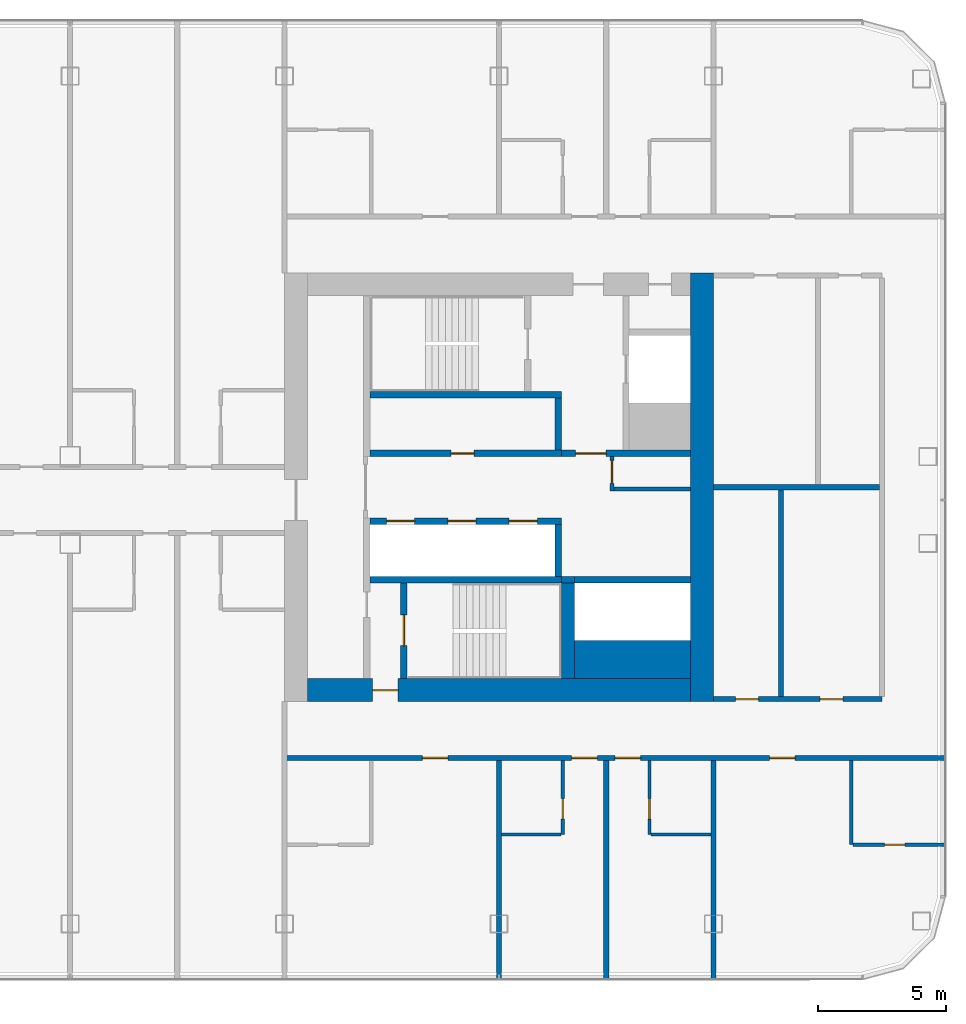
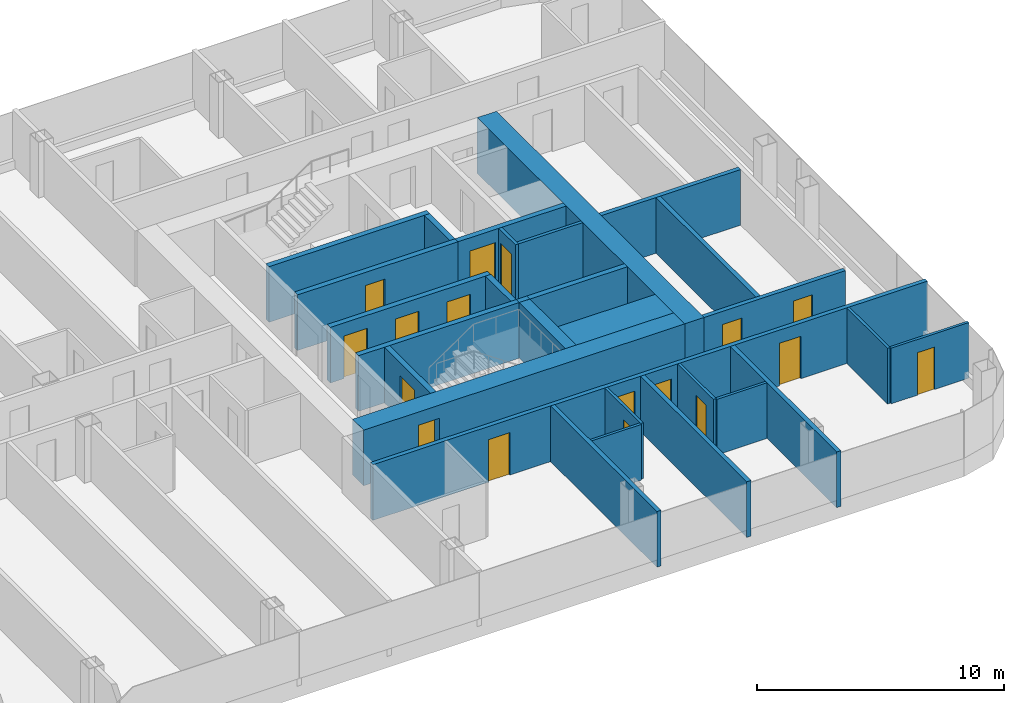
# One storey, part 16 of 26: 29 walls, 17 doors, 17 openings.
"""IFC4 building model written with IfcOpenShell, lengths in metres."""

from ifc_helpers import new_model, si_unit, direction, frame, frame_2d, origin, place, context, subcontext, project, spatial, rectangle, extrude, material, layer, layer_set, type_object, element, fill, save


model = new_model("IFC4")

# Units and contexts
model_context = context("Model", 3, precision=1e-05, world=origin(), true_north=direction((0.0, 1.0)))
body_context = subcontext(model_context, "Body", "Model", "MODEL_VIEW")
ifc_project = project(units=[si_unit("LENGTHUNIT", "METRE"), si_unit("AREAUNIT", "SQUARE_METRE"), si_unit("VOLUMEUNIT", "CUBIC_METRE"), si_unit("PLANEANGLEUNIT", "RADIAN"), si_unit("MASSUNIT", "GRAM", prefix="KILO")], contexts=[model_context])

# Site, building, storey
site_placement = place(None, origin())
site = spatial("IfcSite", under=ifc_project, at=site_placement, CompositionType="ELEMENT")
building_placement = place(site_placement, origin())
building = spatial("IfcBuilding", under=site, at=building_placement, Name="Hakoniwa Tower and Hamabe Station Hall", CompositionType="ELEMENT")
storey_placement = place(building_placement, frame((0.0, 0.0, 169.39990234375)))
storey = spatial("IfcBuildingStorey", under=building, at=storey_placement, Name="L48", CompositionType="ELEMENT", Elevation=169.39990234375)

# Wall, opening, door
ifc_material_1 = material(Name="Gypsum board partition", Category="gypsum")
ifc_layer_1 = layer(ifc_material_1, 0.125)
ifc_layer_set_1 = layer_set([ifc_layer_1], Name="Bathroom Partition 125")
wall_type_1 = type_object("IfcWallType", Name="Bathroom Partition 125", PredefinedType="PARTITIONING", material=ifc_layer_set_1)
wall_1_placement = place(storey_placement, frame((39.0625, -14.0, 0.0), z_axis=(0.0, 0.0, 1.0), x_axis=(1.0, 0.0, 0.0)))
wall_1 = element("IfcWall", 1, at=wall_1_placement, inside=storey, type_object=wall_type_1, Name="GW-L48-002", PredefinedType="PARTITIONING", context=body_context, shape_type="SweptSolid", body=[
    extrude(rectangle(XDim=3.637451171875, YDim=0.125, at=frame_2d((1.81884765625, 0.0))), origin(), (0.0, 0.0, 1.0), 2.75),
])
opening_1_placement = place(wall_1_placement, frame((1.237548828125, 0.0, 0.0)))
opening_1 = element("IfcOpeningElement", 2, at=opening_1_placement, cuts=wall_1, Name="Opening GD-G3C2-02", PredefinedType="OPENING", context=body_context, shape_type="SweptSolid", body=[
    extrude(rectangle(XDim=0.800048828125, YDim=2.10009765625, at=frame_2d((0.39990234375, 1.050048828125))), frame((0.0, 0.072509765625, 0.0), z_axis=(0.0, -1.0, 0.0), x_axis=(1.0, 0.0, 0.0)), (0.0, 0.0, 1.0), 0.14501953125),
])
ifc_material_2 = material(Name="Timber door leaf", Category="wood")
door_type_1 = type_object("IfcDoorType", Name="Bathroom Door 800", OperationType="SINGLE_SWING_LEFT", PredefinedType="DOOR", material=ifc_material_2)
door_1_placement = place(opening_1_placement, origin())
door_1 = element("IfcDoor", 3, at=door_1_placement, inside=storey, type_object=door_type_1, Name="Door GD-G3C2-02", OperationType="SINGLE_SWING_RIGHT", OverallHeight=2.10009765625, OverallWidth=0.800048828125, PredefinedType="DOOR", context=body_context, shape_type="SweptSolid", body=[
    extrude(rectangle(XDim=0.800048828125, YDim=2.10009765625, at=frame_2d((0.39990234375, 1.050048828125))), frame((0.0, 0.02490234375, 0.0), z_axis=(0.0, -1.0, 0.0), x_axis=(1.0, 0.0, 0.0)), (0.0, 0.0, 1.0), 0.050048828125),
])
fill(opening_1, door_1)

# Walls
for number, where, z_axis, x_axis, name in (
    (4, (25.300048828125, -13.60009765625, 0.0), (0.0, 0.0, 1.0), (1.0, 0.0, 0.0), "GW-L48-003"),
    (5, (31.16259765625, -13.60009765625, 0.0), (0.0, 0.0, 1.0), (1.0, 0.0, 0.0), "GW-L48-004"),
):
    element("IfcWall", number, at=place(storey_placement, frame(where, z_axis=z_axis, x_axis=x_axis)), inside=storey, type_object=wall_type_1, Name=name, PredefinedType="PARTITIONING", context=body_context, shape_type="SweptSolid", body=[
        extrude(rectangle(XDim=2.33740234375, YDim=0.125, at=frame_2d((1.168701171875, 0.0))), origin(), (0.0, 0.0, 1.0), 2.75),
    ])

# Wall, opening, door
wall_2_placement = place(storey_placement, frame((27.699951171875, -13.60009765625, 0.0), z_axis=(0.0, 0.0, 1.0), x_axis=(0.0, 1.0, 0.0)))
wall_2 = element("IfcWall", 6, at=wall_2_placement, inside=storey, type_object=wall_type_1, Name="GW-L48-083", PredefinedType="PARTITIONING", context=body_context, shape_type="SweptSolid", body=[
    extrude(rectangle(XDim=2.900146484375, YDim=0.125, at=frame_2d((1.4501953125, 0.0))), origin(), (0.0, 0.0, 1.0), 2.75),
])
opening_2_placement = place(wall_2_placement, frame((0.60009765625, 0.0, 0.0)))
opening_2 = element("IfcOpeningElement", 7, at=opening_2_placement, cuts=wall_2, Name="Opening GD-G3C2-61", PredefinedType="OPENING", context=body_context, shape_type="SweptSolid", body=[
    extrude(rectangle(XDim=0.800048828125, YDim=2.10009765625, at=frame_2d((0.39990234375, 1.050048828125))), frame((0.0, 0.072509765625, 0.0), z_axis=(0.0, -1.0, 0.0), x_axis=(1.0, 0.0, 0.0)), (0.0, 0.0, 1.0), 0.14501953125),
])
door_2_placement = place(opening_2_placement, origin())
door_2 = element("IfcDoor", 8, at=door_2_placement, inside=storey, type_object=door_type_1, Name="Door GD-G3C2-61", OperationType="SINGLE_SWING_RIGHT", OverallHeight=2.10009765625, OverallWidth=0.800048828125, PredefinedType="DOOR", context=body_context, shape_type="SweptSolid", body=[
    extrude(rectangle(XDim=0.800048828125, YDim=2.10009765625, at=frame_2d((0.39990234375, 1.050048828125))), frame((0.0, 0.02490234375, 0.0), z_axis=(0.0, -1.0, 0.0), x_axis=(1.0, 0.0, 0.0)), (0.0, 0.0, 1.0), 0.050048828125),
])
fill(opening_2, door_2)

wall_3_placement = place(storey_placement, frame((31.10009765625, -13.60009765625, 0.0), z_axis=(0.0, 0.0, 1.0), x_axis=(0.0, 1.0, 0.0)))
wall_3 = element("IfcWall", 9, at=wall_3_placement, inside=storey, type_object=wall_type_1, Name="GW-L48-087", PredefinedType="PARTITIONING", context=body_context, shape_type="SweptSolid", body=[
    extrude(rectangle(XDim=2.900146484375, YDim=0.125, at=frame_2d((1.4501953125, 0.0))), origin(), (0.0, 0.0, 1.0), 2.75),
])
opening_3_placement = place(wall_3_placement, frame((0.60009765625, 0.0, 0.0)))
opening_3 = element("IfcOpeningElement", 10, at=opening_3_placement, cuts=wall_3, Name="Opening GD-G3C2-63", PredefinedType="OPENING", context=body_context, shape_type="SweptSolid", body=[
    extrude(rectangle(XDim=0.800048828125, YDim=2.10009765625, at=frame_2d((0.39990234375, 1.050048828125))), frame((0.0, 0.072509765625, 0.0), z_axis=(0.0, -1.0, 0.0), x_axis=(1.0, 0.0, 0.0)), (0.0, 0.0, 1.0), 0.14501953125),
])
door_3_placement = place(opening_3_placement, origin())
door_3 = element("IfcDoor", 11, at=door_3_placement, inside=storey, type_object=door_type_1, Name="Door GD-G3C2-63", OperationType="SINGLE_SWING_LEFT", OverallHeight=2.10009765625, OverallWidth=0.800048828125, PredefinedType="DOOR", context=body_context, shape_type="SweptSolid", body=[
    extrude(rectangle(XDim=0.800048828125, YDim=2.10009765625, at=frame_2d((0.39990234375, 1.050048828125))), frame((0.0, 0.02490234375, 0.0), z_axis=(0.0, -1.0, 0.0), x_axis=(1.0, 0.0, 0.0)), (0.0, 0.0, 1.0), 0.050048828125),
])
fill(opening_3, door_3)

# Wall
wall_4_placement = place(storey_placement, frame((39.0, -14.0, 0.0), z_axis=(0.0, 0.0, 1.0), x_axis=(0.0, 1.0, 0.0)))
element("IfcWall", 12, at=wall_4_placement, inside=storey, type_object=wall_type_1, Name="GW-L48-093", PredefinedType="PARTITIONING", context=body_context, shape_type="SweptSolid", body=[
    extrude(rectangle(XDim=3.300048828125, YDim=0.125, at=frame_2d((1.64990234375, 0.0))), origin(), (0.0, 0.0, 1.0), 2.75),
])

# Wall, opening, door
ifc_material_3 = material(Name="Gypsum board partition")
ifc_layer_2 = layer(ifc_material_3, 0.14990234375)
ifc_layer_set_2 = layer_set([ifc_layer_2], Name="CORE PARTITION 150 EI 60")
wall_type_2 = type_object("IfcWallType", Name="CORE PARTITION 150 EI 60", PredefinedType="PARTITIONING", material=ifc_layer_set_2)
wall_5_placement = place(storey_placement, frame((29.625, -0.14990234375, 0.0), z_axis=(0.0, 0.0, 1.0), x_axis=(0.0, 1.0, 0.0)))
wall_5 = element("IfcWall", 13, at=wall_5_placement, inside=storey, type_object=wall_type_2, Name="Core partition PW0 east", PredefinedType="PARTITIONING", context=body_context, shape_type="SweptSolid", body=[
    extrude(rectangle(XDim=1.349853515625, YDim=0.14990234375, at=frame_2d((0.6748046875, 0.0))), origin(), (0.0, 0.0, 1.0), 2.75),
])
opening_4_placement = place(wall_5_placement, frame((0.300048828125, 0.0, 0.0)))
opening_4 = element("IfcOpeningElement", 14, at=opening_4_placement, cuts=wall_5, Name="Opening CD-E-RM1-9", PredefinedType="OPENING", context=body_context, shape_type="SweptSolid", body=[
    extrude(rectangle(XDim=0.89990234375, YDim=2.10009765625, at=frame_2d((0.449951171875, 1.050048828125))), frame((0.0, 0.0849609375, 0.0), z_axis=(0.0, -1.0, 0.0), x_axis=(1.0, 0.0, 0.0)), (0.0, 0.0, 1.0), 0.169921875),
])
ifc_material_4 = material(Name="Steel fire door", Category="steel")
door_type_2 = type_object("IfcDoorType", Name="CORE DOOR 900 FD30", OperationType="NOTDEFINED", PredefinedType="DOOR", material=ifc_material_4)
door_4_placement = place(opening_4_placement, origin())
door_4 = element("IfcDoor", 15, at=door_4_placement, inside=storey, type_object=door_type_2, Name="Store room door", OperationType="SINGLE_SWING_LEFT", OverallHeight=2.10009765625, OverallWidth=0.89990234375, PredefinedType="DOOR", context=body_context, shape_type="SweptSolid", body=[
    extrude(rectangle(XDim=0.89990234375, YDim=2.10009765625, at=frame_2d((0.449951171875, 1.050048828125))), frame((0.0, 0.02490234375, 0.0), z_axis=(0.0, -1.0, 0.0), x_axis=(1.0, 0.0, 0.0)), (0.0, 0.0, 1.0), 0.050048828125),
])
fill(opening_4, door_4)

# Walls
wall_6_placement = place(storey_placement, frame((29.699951171875, -0.074951171875, 0.0), z_axis=(0.0, 0.0, 1.0), x_axis=(1.0, 0.0, 0.0)))
element("IfcWall", 16, at=wall_6_placement, inside=storey, type_object=wall_type_2, Name="Core partition PS east", PredefinedType="PARTITIONING", context=body_context, shape_type="SweptSolid", body=[
    extrude(rectangle(XDim=3.0, YDim=0.14990234375, at=frame_2d((1.5, 0.0))), origin(), (0.0, 0.0, 1.0), 2.75),
])
ifc_material_5 = material(Name="Concrete C66", Category="concrete")
ifc_layer_3 = layer(ifc_material_5, 0.89990234375)
ifc_layer_set_3 = layer_set([ifc_layer_3], Name="CORE WALL 900 C66")
wall_type_3 = type_object("IfcWallType", Name="CORE WALL 900 C66", PredefinedType="SHEAR", material=ifc_layer_set_3)
wall_7_placement = place(storey_placement, frame((33.14990234375, -8.39990234375, 0.0), z_axis=(0.0, 0.0, 1.0), x_axis=(0.0, 1.0, 0.0)))
element("IfcWall", 17, at=wall_7_placement, inside=storey, type_object=wall_type_3, Name="Core wall OUTER east", PredefinedType="SHEAR", context=body_context, shape_type="SweptSolid", body=[
    extrude(rectangle(XDim=16.7998046875, YDim=0.89990234375, at=frame_2d((8.39990234375, 0.0))), origin(), (0.0, 0.0, 1.0), 2.75),
])

# Wall, opening, door
wall_8_placement = place(storey_placement, frame((17.699951171875, -7.949951171875, 0.0), z_axis=(0.0, 0.0, 1.0), x_axis=(1.0, 0.0, 0.0)))
wall_8 = element("IfcWall", 18, at=wall_8_placement, inside=storey, type_object=wall_type_3, Name="Core wall SOUTH east", PredefinedType="SHEAR", context=body_context, shape_type="SweptSolid", body=[
    extrude(rectangle(XDim=15.0, YDim=0.89990234375, at=frame_2d((7.5, 0.0))), origin(), (0.0, 0.0, 1.0), 2.75),
])
opening_5_placement = place(wall_8_placement, frame((2.550048828125, 0.0, 0.0)))
opening_5 = element("IfcOpeningElement", 19, at=opening_5_placement, cuts=wall_8, Name="Opening CD-E-FS3-10", PredefinedType="OPENING", context=body_context, shape_type="SweptSolid", body=[
    extrude(rectangle(XDim=1.0, YDim=2.10009765625, at=frame_2d((0.5, 1.050048828125))), frame((0.0, 0.4599609375, 0.0), z_axis=(0.0, -1.0, 0.0), x_axis=(1.0, 0.0, 0.0)), (0.0, 0.0, 1.0), 0.919921875),
])
ifc_material_6 = material(Name="Steel fire door", Category="steel")
door_type_3 = type_object("IfcDoorType", Name="CORE DOOR 1000 FD60", OperationType="NOTDEFINED", PredefinedType="DOOR", material=ifc_material_6)
door_5_placement = place(opening_5_placement, origin())
door_5 = element("IfcDoor", 20, at=door_5_placement, inside=storey, type_object=door_type_3, Name="Stair vestibule door", OperationType="SINGLE_SWING_LEFT", OverallHeight=2.10009765625, OverallWidth=1.0, PredefinedType="DOOR", context=body_context, shape_type="SweptSolid", body=[
    extrude(rectangle(XDim=1.0, YDim=2.10009765625, at=frame_2d((0.5, 1.050048828125))), frame((0.0, 0.02490234375, 0.0), z_axis=(0.0, -1.0, 0.0), x_axis=(1.0, 0.0, 0.0)), (0.0, 0.0, 1.0), 0.050048828125),
])
fill(opening_5, door_5)

# Wall
ifc_material_7 = material(Name="Concrete C66", Category="concrete")
ifc_layer_4 = layer(ifc_material_7, 1.5)
ifc_layer_set_4 = layer_set([ifc_layer_4], Name="CORE WEB WALL 1500 C66")
wall_type_4 = type_object("IfcWallType", Name="CORE WEB WALL 1500 C66", PredefinedType="SHEAR", material=ifc_layer_set_4)
wall_9_placement = place(storey_placement, frame((28.14990234375, -6.75, 0.0), z_axis=(0.0, 0.0, 1.0), x_axis=(1.0, 0.0, 0.0)))
element("IfcWall", 21, at=wall_9_placement, inside=storey, type_object=wall_type_4, Name="Core wall SER east", PredefinedType="SHEAR", context=body_context, shape_type="SweptSolid", body=[
    extrude(rectangle(XDim=4.550048828125, YDim=1.5, at=frame_2d((2.27490234375, 0.0))), origin(), (0.0, 0.0, 1.0), 2.75),
])

# Wall, opening, door
ifc_material_8 = material(Name="Concrete C66", Category="concrete")
ifc_layer_5 = layer(ifc_material_8, 0.25)
ifc_layer_set_5 = layer_set([ifc_layer_5], Name="CORE WEB WALL 250 C66")
wall_type_5 = type_object("IfcWallType", Name="CORE WEB WALL 250 C66", PredefinedType="SHEAR", material=ifc_layer_set_5)
wall_10_placement = place(storey_placement, frame((20.14990234375, 1.324951171875, 0.0), z_axis=(0.0, 0.0, 1.0), x_axis=(1.0, 0.0, 0.0)))
wall_10 = element("IfcWall", 22, at=wall_10_placement, inside=storey, type_object=wall_type_5, Name="Core wall NF east", PredefinedType="SHEAR", context=body_context, shape_type="SweptSolid", body=[
    extrude(rectangle(XDim=7.5, YDim=0.25, at=frame_2d((3.75, 0.0))), origin(), (0.0, 0.0, 1.0), 2.75),
])
opening_6_placement = place(wall_10_placement, frame((3.175048828125, 0.0, 0.0)))
opening_6 = element("IfcOpeningElement", 23, at=opening_6_placement, cuts=wall_10, Name="Opening CD-E-FRLR0-9", PredefinedType="OPENING", context=body_context, shape_type="SweptSolid", body=[
    extrude(rectangle(XDim=0.89990234375, YDim=2.10009765625, at=frame_2d((0.449951171875, 1.050048828125))), frame((0.0, 0.135009765625, 0.0), z_axis=(0.0, -1.0, 0.0), x_axis=(1.0, 0.0, 0.0)), (0.0, 0.0, 1.0), 0.27001953125),
])
door_6_placement = place(opening_6_placement, origin())
door_6 = element("IfcDoor", 24, at=door_6_placement, inside=storey, type_object=door_type_2, Name="Store room door", OperationType="SINGLE_SWING_LEFT", OverallHeight=2.10009765625, OverallWidth=0.89990234375, PredefinedType="DOOR", context=body_context, shape_type="SweptSolid", body=[
    extrude(rectangle(XDim=0.89990234375, YDim=2.10009765625, at=frame_2d((0.449951171875, 1.050048828125))), frame((0.0, 0.02490234375, 0.0), z_axis=(0.0, -1.0, 0.0), x_axis=(1.0, 0.0, 0.0)), (0.0, 0.0, 1.0), 0.050048828125),
])
fill(opening_6, door_6)

# Walls
wall_11_placement = place(storey_placement, frame((27.52490234375, 1.449951171875, 0.0), z_axis=(0.0, 0.0, 1.0), x_axis=(0.0, 1.0, 0.0)))
element("IfcWall", 25, at=wall_11_placement, inside=storey, type_object=wall_type_5, Name="Core wall NE east", PredefinedType="SHEAR", context=body_context, shape_type="SweptSolid", body=[
    extrude(rectangle(XDim=2.050048828125, YDim=0.25, at=frame_2d((1.02490234375, 0.0))), origin(), (0.0, 0.0, 1.0), 2.75),
])
wall_12_placement = place(storey_placement, frame((20.14990234375, 3.625, 0.0), z_axis=(0.0, 0.0, 1.0), x_axis=(1.0, 0.0, 0.0)))
element("IfcWall", 26, at=wall_12_placement, inside=storey, type_object=wall_type_5, Name="Core wall NR east", PredefinedType="SHEAR", context=body_context, shape_type="SweptSolid", body=[
    extrude(rectangle(XDim=7.5, YDim=0.25, at=frame_2d((3.75, 0.0))), origin(), (0.0, 0.0, 1.0), 2.75),
])

# Wall, opening, door
wall_13_placement = place(storey_placement, frame((27.64990234375, 1.324951171875, 0.0), z_axis=(0.0, 0.0, 1.0), x_axis=(1.0, 0.0, 0.0)))
wall_13 = element("IfcWall", 27, at=wall_13_placement, inside=storey, type_object=wall_type_5, Name="Core wall ELN east", PredefinedType="SHEAR", context=body_context, shape_type="SweptSolid", body=[
    extrude(rectangle(XDim=5.050048828125, YDim=0.25, at=frame_2d((2.52490234375, 0.0))), origin(), (0.0, 0.0, 1.0), 2.75),
])
opening_7_placement = place(wall_13_placement, frame((0.550048828125, 0.0, 0.0)))
opening_7 = element("IfcOpeningElement", 28, at=opening_7_placement, cuts=wall_13, Name="Opening CD-E-FL-12", PredefinedType="OPENING", context=body_context, shape_type="SweptSolid", body=[
    extrude(rectangle(XDim=1.199951171875, YDim=2.10009765625, at=frame_2d((0.60009765625, 1.050048828125))), frame((0.0, 0.135009765625, 0.0), z_axis=(0.0, -1.0, 0.0), x_axis=(1.0, 0.0, 0.0)), (0.0, 0.0, 1.0), 0.27001953125),
])
ifc_material_9 = material(Name="Steel fire door", Category="steel")
door_type_4 = type_object("IfcDoorType", Name="CORE DOOR 1200 FD60", OperationType="DOUBLE_DOOR_SINGLE_SWING", PredefinedType="DOOR", material=ifc_material_9)
door_7_placement = place(opening_7_placement, origin())
door_7 = element("IfcDoor", 29, at=door_7_placement, inside=storey, type_object=door_type_4, Name="Stair vestibule door to the fire-fighting lobby", OperationType="DOUBLE_DOOR_SINGLE_SWING", OverallHeight=2.10009765625, OverallWidth=1.199951171875, PredefinedType="DOOR", context=body_context, shape_type="SweptSolid", body=[
    extrude(rectangle(XDim=1.199951171875, YDim=2.10009765625, at=frame_2d((0.60009765625, 1.050048828125))), frame((0.0, 0.02490234375, 0.0), z_axis=(0.0, -1.0, 0.0), x_axis=(1.0, 0.0, 0.0)), (0.0, 0.0, 1.0), 0.050048828125),
])
fill(opening_7, door_7)

# Wall, openings, doors
wall_14_placement = place(storey_placement, frame((20.14990234375, -1.324951171875, 0.0), z_axis=(0.0, 0.0, 1.0), x_axis=(1.0, 0.0, 0.0)))
wall_14 = element("IfcWall", 30, at=wall_14_placement, inside=storey, type_object=wall_type_5, Name="Core wall SF east", PredefinedType="SHEAR", context=body_context, shape_type="SweptSolid", body=[
    extrude(rectangle(XDim=7.5, YDim=0.25, at=frame_2d((3.75, 0.0))), origin(), (0.0, 0.0, 1.0), 2.75),
])
opening_8_placement = place(wall_14_placement, frame((0.64990234375, 0.0, 0.0)))
opening_8 = element("IfcOpeningElement", 31, at=opening_8_placement, cuts=wall_14, Name="Opening LD-HR4", PredefinedType="OPENING", context=body_context, shape_type="SweptSolid", body=[
    extrude(rectangle(XDim=1.10009765625, YDim=2.10009765625, at=frame_2d((0.550048828125, 1.050048828125))), frame((0.0, 0.135009765625, 0.0), z_axis=(0.0, -1.0, 0.0), x_axis=(1.0, 0.0, 0.0)), (0.0, 0.0, 1.0), 0.27001953125),
])
opening_9_placement = place(wall_14_placement, frame((3.050048828125, 0.0, 0.0)))
opening_9 = element("IfcOpeningElement", 32, at=opening_9_placement, cuts=wall_14, Name="Opening LD-HR5", PredefinedType="OPENING", context=body_context, shape_type="SweptSolid", body=[
    extrude(rectangle(XDim=1.10009765625, YDim=2.10009765625, at=frame_2d((0.550048828125, 1.050048828125))), frame((0.0, 0.135009765625, 0.0), z_axis=(0.0, -1.0, 0.0), x_axis=(1.0, 0.0, 0.0)), (0.0, 0.0, 1.0), 0.27001953125),
])
opening_10_placement = place(wall_14_placement, frame((5.449951171875, 0.0, 0.0)))
opening_10 = element("IfcOpeningElement", 33, at=opening_10_placement, cuts=wall_14, Name="Opening LD-HR6", PredefinedType="OPENING", context=body_context, shape_type="SweptSolid", body=[
    extrude(rectangle(XDim=1.10009765625, YDim=2.10009765625, at=frame_2d((0.550048828125, 1.050048828125))), frame((0.0, 0.135009765625, 0.0), z_axis=(0.0, -1.0, 0.0), x_axis=(1.0, 0.0, 0.0)), (0.0, 0.0, 1.0), 0.27001953125),
])
ifc_material_10 = material(Name="Stainless steel SUS304", Category="steel")
door_type_5 = type_object("IfcDoorType", Name="LIFT LANDING DOOR 1100 FD60", OperationType="DOUBLE_DOOR_SLIDING", PredefinedType="DOOR", material=ifc_material_10)
door_8_placement = place(opening_8_placement, origin())
door_8 = element("IfcDoor", 34, at=door_8_placement, inside=storey, type_object=door_type_5, Name="Lift landing door HR4 L48", OperationType="DOUBLE_DOOR_SLIDING", OverallHeight=2.10009765625, OverallWidth=1.10009765625, PredefinedType="DOOR", context=body_context, shape_type="SweptSolid", body=[
    extrude(rectangle(XDim=1.10009765625, YDim=2.10009765625, at=frame_2d((0.550048828125, 1.050048828125))), frame((0.0, 0.02490234375, 0.0), z_axis=(0.0, -1.0, 0.0), x_axis=(1.0, 0.0, 0.0)), (0.0, 0.0, 1.0), 0.050048828125),
])
fill(opening_8, door_8)
door_9_placement = place(opening_9_placement, origin())
door_9 = element("IfcDoor", 35, at=door_9_placement, inside=storey, type_object=door_type_5, Name="Lift landing door HR5 L48", OperationType="DOUBLE_DOOR_SLIDING", OverallHeight=2.10009765625, OverallWidth=1.10009765625, PredefinedType="DOOR", context=body_context, shape_type="SweptSolid", body=[
    extrude(rectangle(XDim=1.10009765625, YDim=2.10009765625, at=frame_2d((0.550048828125, 1.050048828125))), frame((0.0, 0.02490234375, 0.0), z_axis=(0.0, -1.0, 0.0), x_axis=(1.0, 0.0, 0.0)), (0.0, 0.0, 1.0), 0.050048828125),
])
fill(opening_9, door_9)
door_10_placement = place(opening_10_placement, origin())
door_10 = element("IfcDoor", 36, at=door_10_placement, inside=storey, type_object=door_type_5, Name="Lift landing door HR6 L48", OperationType="DOUBLE_DOOR_SLIDING", OverallHeight=2.10009765625, OverallWidth=1.10009765625, PredefinedType="DOOR", context=body_context, shape_type="SweptSolid", body=[
    extrude(rectangle(XDim=1.10009765625, YDim=2.10009765625, at=frame_2d((0.550048828125, 1.050048828125))), frame((0.0, 0.02490234375, 0.0), z_axis=(0.0, -1.0, 0.0), x_axis=(1.0, 0.0, 0.0)), (0.0, 0.0, 1.0), 0.050048828125),
])
fill(opening_10, door_10)

# Walls
wall_15_placement = place(storey_placement, frame((27.52490234375, -3.5, 0.0), z_axis=(0.0, 0.0, 1.0), x_axis=(0.0, 1.0, 0.0)))
element("IfcWall", 37, at=wall_15_placement, inside=storey, type_object=wall_type_5, Name="Core wall SE east", PredefinedType="SHEAR", context=body_context, shape_type="SweptSolid", body=[
    extrude(rectangle(XDim=2.050048828125, YDim=0.25, at=frame_2d((1.02490234375, 0.0))), origin(), (0.0, 0.0, 1.0), 2.75),
])
wall_16_placement = place(storey_placement, frame((20.14990234375, -3.625, 0.0), z_axis=(0.0, 0.0, 1.0), x_axis=(1.0, 0.0, 0.0)))
element("IfcWall", 38, at=wall_16_placement, inside=storey, type_object=wall_type_5, Name="Core wall SR east", PredefinedType="SHEAR", context=body_context, shape_type="SweptSolid", body=[
    extrude(rectangle(XDim=7.5, YDim=0.25, at=frame_2d((3.75, 0.0))), origin(), (0.0, 0.0, 1.0), 2.75),
])

# Wall, opening, door
wall_17_placement = place(storey_placement, frame((21.47509765625, -7.5, 0.0), z_axis=(0.0, 0.0, 1.0), x_axis=(0.0, 1.0, 0.0)))
wall_17 = element("IfcWall", 39, at=wall_17_placement, inside=storey, type_object=wall_type_5, Name="Core wall VE east", PredefinedType="SHEAR", context=body_context, shape_type="SweptSolid", body=[
    extrude(rectangle(XDim=3.75, YDim=0.25, at=frame_2d((1.875, 0.0))), origin(), (0.0, 0.0, 1.0), 2.75),
])
opening_11_placement = place(wall_17_placement, frame((1.300048828125, 0.0, 0.0)))
opening_11 = element("IfcOpeningElement", 40, at=opening_11_placement, cuts=wall_17, Name="Opening CD-E-SS-12", PredefinedType="OPENING", context=body_context, shape_type="SweptSolid", body=[
    extrude(rectangle(XDim=1.199951171875, YDim=2.10009765625, at=frame_2d((0.60009765625, 1.050048828125))), frame((0.0, 0.135009765625, 0.0), z_axis=(0.0, -1.0, 0.0), x_axis=(1.0, 0.0, 0.0)), (0.0, 0.0, 1.0), 0.27001953125),
])
door_11_placement = place(opening_11_placement, origin())
door_11 = element("IfcDoor", 41, at=door_11_placement, inside=storey, type_object=door_type_4, Name="Escape stair door", OperationType="DOUBLE_DOOR_SINGLE_SWING", OverallHeight=2.10009765625, OverallWidth=1.199951171875, PredefinedType="DOOR", context=body_context, shape_type="SweptSolid", body=[
    extrude(rectangle(XDim=1.199951171875, YDim=2.10009765625, at=frame_2d((0.60009765625, 1.050048828125))), frame((0.0, 0.02490234375, 0.0), z_axis=(0.0, -1.0, 0.0), x_axis=(1.0, 0.0, 0.0)), (0.0, 0.0, 1.0), 0.050048828125),
])
fill(opening_11, door_11)

# Walls
wall_18_placement = place(storey_placement, frame((28.14990234375, -3.625, 0.0), z_axis=(0.0, 0.0, 1.0), x_axis=(1.0, 0.0, 0.0)))
element("IfcWall", 42, at=wall_18_placement, inside=storey, type_object=wall_type_5, Name="Core wall SEF east", PredefinedType="SHEAR", context=body_context, shape_type="SweptSolid", body=[
    extrude(rectangle(XDim=4.550048828125, YDim=0.25, at=frame_2d((2.27490234375, 0.0))), origin(), (0.0, 0.0, 1.0), 2.75),
])
wall_19_placement = place(storey_placement, frame((27.64990234375, -3.625, 0.0), z_axis=(0.0, 0.0, 1.0), x_axis=(1.0, 0.0, 0.0)))
element("IfcWall", 43, at=wall_19_placement, inside=storey, type_object=wall_type_5, Name="Core wall SRK east", PredefinedType="SHEAR", context=body_context, shape_type="SweptSolid", body=[
    extrude(rectangle(XDim=0.5, YDim=0.25, at=frame_2d((0.25, 0.0))), origin(), (0.0, 0.0, 1.0), 2.75),
])
ifc_material_11 = material(Name="Concrete C66", Category="concrete")
ifc_layer_6 = layer(ifc_material_11, 0.5)
ifc_layer_set_6 = layer_set([ifc_layer_6], Name="CORE WEB WALL 500 C66")
wall_type_6 = type_object("IfcWallType", Name="CORE WEB WALL 500 C66", PredefinedType="SHEAR", material=ifc_layer_set_6)
wall_20_placement = place(storey_placement, frame((27.89990234375, -7.5, 0.0), z_axis=(0.0, 0.0, 1.0), x_axis=(0.0, 1.0, 0.0)))
element("IfcWall", 44, at=wall_20_placement, inside=storey, type_object=wall_type_6, Name="Core wall SSE east", PredefinedType="SHEAR", context=body_context, shape_type="SweptSolid", body=[
    extrude(rectangle(XDim=3.75, YDim=0.5, at=frame_2d((1.875, 0.0))), origin(), (0.0, 0.0, 1.0), 2.75),
])

# Wall, openings, doors
ifc_material_12 = material(Name="Fire-rated gypsum board partition", Category="gypsum")
ifc_layer_7 = layer(ifc_material_12, 0.199951171875)
ifc_layer_set_7 = layer_set([ifc_layer_7], Name="Corridor Wall 200")
wall_type_7 = type_object("IfcWallType", Name="Corridor Wall 200", PredefinedType="PARTITIONING", material=ifc_layer_set_7)
wall_21_placement = place(storey_placement, frame((16.800048828125, -10.60009765625, 0.0), z_axis=(0.0, 0.0, 1.0), x_axis=(1.0, 0.0, 0.0)))
wall_21 = element("IfcWall", 45, at=wall_21_placement, inside=storey, type_object=wall_type_7, Name="GW-L48-006", PredefinedType="PARTITIONING", context=body_context, shape_type="SweptSolid", body=[
    extrude(rectangle(XDim=25.89990234375, YDim=0.199951171875, at=frame_2d((12.949951171875, 0.0))), origin(), (0.0, 0.0, 1.0), 2.75),
])
opening_12_placement = place(wall_21_placement, frame((5.39990234375, 0.0, 0.0)))
opening_12 = element("IfcOpeningElement", 46, at=opening_12_placement, cuts=wall_21, Name="Opening GD-G3C2-09", PredefinedType="OPENING", context=body_context, shape_type="SweptSolid", body=[
    extrude(rectangle(XDim=1.0, YDim=2.10009765625, at=frame_2d((0.5, 1.050048828125))), frame((0.0, 0.10986328125, 0.0), z_axis=(0.0, -1.0, 0.0), x_axis=(1.0, 0.0, 0.0)), (0.0, 0.0, 1.0), 0.219970703125),
])
opening_13_placement = place(wall_21_placement, frame((11.25, 0.0, 0.0)))
opening_13 = element("IfcOpeningElement", 47, at=opening_13_placement, cuts=wall_21, Name="Opening GD-G3C2-10", PredefinedType="OPENING", context=body_context, shape_type="SweptSolid", body=[
    extrude(rectangle(XDim=1.0, YDim=2.10009765625, at=frame_2d((0.5, 1.050048828125))), frame((0.0, 0.10986328125, 0.0), z_axis=(0.0, -1.0, 0.0), x_axis=(1.0, 0.0, 0.0)), (0.0, 0.0, 1.0), 0.219970703125),
])
opening_14_placement = place(wall_21_placement, frame((12.949951171875, 0.0, 0.0)))
opening_14 = element("IfcOpeningElement", 48, at=opening_14_placement, cuts=wall_21, Name="Opening GD-G3C2-11", PredefinedType="OPENING", context=body_context, shape_type="SweptSolid", body=[
    extrude(rectangle(XDim=1.0, YDim=2.10009765625, at=frame_2d((0.5, 1.050048828125))), frame((0.0, 0.10986328125, 0.0), z_axis=(0.0, -1.0, 0.0), x_axis=(1.0, 0.0, 0.0)), (0.0, 0.0, 1.0), 0.219970703125),
])
opening_15_placement = place(wall_21_placement, frame((19.0, 0.0, 0.0)))
opening_15 = element("IfcOpeningElement", 49, at=opening_15_placement, cuts=wall_21, Name="Opening GD-G3C2-12", PredefinedType="OPENING", context=body_context, shape_type="SweptSolid", body=[
    extrude(rectangle(XDim=1.0, YDim=2.10009765625, at=frame_2d((0.5, 1.050048828125))), frame((0.0, 0.10986328125, 0.0), z_axis=(0.0, -1.0, 0.0), x_axis=(1.0, 0.0, 0.0)), (0.0, 0.0, 1.0), 0.219970703125),
])
ifc_material_13 = material(Name="Timber door leaf", Category="wood")
door_type_6 = type_object("IfcDoorType", Name="Guest Entrance Door 1000", OperationType="SINGLE_SWING_LEFT", PredefinedType="DOOR", material=ifc_material_13)
door_12_placement = place(opening_12_placement, origin())
door_12 = element("IfcDoor", 50, at=door_12_placement, inside=storey, type_object=door_type_6, Name="Door GD-G3C2-09", OperationType="SINGLE_SWING_RIGHT", OverallHeight=2.10009765625, OverallWidth=1.0, PredefinedType="DOOR", context=body_context, shape_type="SweptSolid", body=[
    extrude(rectangle(XDim=1.0, YDim=2.10009765625, at=frame_2d((0.5, 1.050048828125))), frame((0.0, 0.02490234375, 0.0), z_axis=(0.0, -1.0, 0.0), x_axis=(1.0, 0.0, 0.0)), (0.0, 0.0, 1.0), 0.050048828125),
])
fill(opening_12, door_12)
door_13_placement = place(opening_13_placement, origin())
door_13 = element("IfcDoor", 51, at=door_13_placement, inside=storey, type_object=door_type_6, Name="Door GD-G3C2-10", OperationType="SINGLE_SWING_RIGHT", OverallHeight=2.10009765625, OverallWidth=1.0, PredefinedType="DOOR", context=body_context, shape_type="SweptSolid", body=[
    extrude(rectangle(XDim=1.0, YDim=2.10009765625, at=frame_2d((0.5, 1.050048828125))), frame((0.0, 0.02490234375, 0.0), z_axis=(0.0, -1.0, 0.0), x_axis=(1.0, 0.0, 0.0)), (0.0, 0.0, 1.0), 0.050048828125),
])
fill(opening_13, door_13)
door_14_placement = place(opening_14_placement, origin())
door_14 = element("IfcDoor", 52, at=door_14_placement, inside=storey, type_object=door_type_6, Name="Door GD-G3C2-11", OperationType="SINGLE_SWING_LEFT", OverallHeight=2.10009765625, OverallWidth=1.0, PredefinedType="DOOR", context=body_context, shape_type="SweptSolid", body=[
    extrude(rectangle(XDim=1.0, YDim=2.10009765625, at=frame_2d((0.5, 1.050048828125))), frame((0.0, 0.02490234375, 0.0), z_axis=(0.0, -1.0, 0.0), x_axis=(1.0, 0.0, 0.0)), (0.0, 0.0, 1.0), 0.050048828125),
])
fill(opening_14, door_14)
door_15_placement = place(opening_15_placement, origin())
door_15 = element("IfcDoor", 53, at=door_15_placement, inside=storey, type_object=door_type_6, Name="Door GD-G3C2-12", OperationType="SINGLE_SWING_RIGHT", OverallHeight=2.10009765625, OverallWidth=1.0, PredefinedType="DOOR", context=body_context, shape_type="SweptSolid", body=[
    extrude(rectangle(XDim=1.0, YDim=2.10009765625, at=frame_2d((0.5, 1.050048828125))), frame((0.0, 0.02490234375, 0.0), z_axis=(0.0, -1.0, 0.0), x_axis=(1.0, 0.0, 0.0)), (0.0, 0.0, 1.0), 0.050048828125),
])
fill(opening_15, door_15)

wall_22_placement = place(storey_placement, frame((33.60009765625, -8.300048828125, 0.0), z_axis=(0.0, 0.0, 1.0), x_axis=(1.0, 0.0, 0.0)))
wall_22 = element("IfcWall", 54, at=wall_22_placement, inside=storey, type_object=wall_type_7, Name="GW-L48-008", PredefinedType="PARTITIONING", context=body_context, shape_type="SweptSolid", body=[
    extrude(rectangle(XDim=6.599853515625, YDim=0.199951171875, at=frame_2d((3.2998046875, 0.0))), origin(), (0.0, 0.0, 1.0), 2.75),
])
opening_16_placement = place(wall_22_placement, frame((0.8701171875, 0.0, 0.0)))
opening_16 = element("IfcOpeningElement", 55, at=opening_16_placement, cuts=wall_22, Name="Opening GD-G3C2-15", PredefinedType="OPENING", context=body_context, shape_type="SweptSolid", body=[
    extrude(rectangle(XDim=0.89990234375, YDim=2.10009765625, at=frame_2d((0.449951171875, 1.050048828125))), frame((0.0, 0.10986328125, 0.0), z_axis=(0.0, -1.0, 0.0), x_axis=(1.0, 0.0, 0.0)), (0.0, 0.0, 1.0), 0.219970703125),
])
opening_17_placement = place(wall_22_placement, frame((4.169921875, 0.0, 0.0)))
opening_17 = element("IfcOpeningElement", 56, at=opening_17_placement, cuts=wall_22, Name="Opening GD-G3C2-16", PredefinedType="OPENING", context=body_context, shape_type="SweptSolid", body=[
    extrude(rectangle(XDim=0.89990234375, YDim=2.10009765625, at=frame_2d((0.449951171875, 1.050048828125))), frame((0.0, 0.10986328125, 0.0), z_axis=(0.0, -1.0, 0.0), x_axis=(1.0, 0.0, 0.0)), (0.0, 0.0, 1.0), 0.219970703125),
])
ifc_material_14 = material(Name="Timber door leaf", Category="wood")
door_type_7 = type_object("IfcDoorType", Name="Service Door 900", OperationType="SINGLE_SWING_LEFT", PredefinedType="DOOR", material=ifc_material_14)
door_16_placement = place(opening_16_placement, origin())
door_16 = element("IfcDoor", 57, at=door_16_placement, inside=storey, type_object=door_type_7, Name="Door GD-G3C2-15", OperationType="SINGLE_SWING_LEFT", OverallHeight=2.10009765625, OverallWidth=0.89990234375, PredefinedType="DOOR", context=body_context, shape_type="SweptSolid", body=[
    extrude(rectangle(XDim=0.89990234375, YDim=2.10009765625, at=frame_2d((0.449951171875, 1.050048828125))), frame((0.0, 0.02490234375, 0.0), z_axis=(0.0, -1.0, 0.0), x_axis=(1.0, 0.0, 0.0)), (0.0, 0.0, 1.0), 0.050048828125),
])
fill(opening_16, door_16)
door_17_placement = place(opening_17_placement, origin())
door_17 = element("IfcDoor", 58, at=door_17_placement, inside=storey, type_object=door_type_7, Name="Door GD-G3C2-16", OperationType="SINGLE_SWING_LEFT", OverallHeight=2.10009765625, OverallWidth=0.89990234375, PredefinedType="DOOR", context=body_context, shape_type="SweptSolid", body=[
    extrude(rectangle(XDim=0.89990234375, YDim=2.10009765625, at=frame_2d((0.449951171875, 1.050048828125))), frame((0.0, 0.02490234375, 0.0), z_axis=(0.0, -1.0, 0.0), x_axis=(1.0, 0.0, 0.0)), (0.0, 0.0, 1.0), 0.050048828125),
])
fill(opening_17, door_17)

# Walls
ifc_material_15 = material(Name="Fire-rated gypsum board partition", Category="gypsum")
ifc_layer_8 = layer(ifc_material_15, 0.199951171875)
ifc_layer_set_8 = layer_set([ifc_layer_8], Name="Party Wall 200")
wall_type_8 = type_object("IfcWallType", Name="Party Wall 200", PredefinedType="PARTITIONING", material=ifc_layer_set_8)
wall_23_placement = place(storey_placement, frame((33.60009765625, 0.0, 0.0), z_axis=(0.0, 0.0, 1.0), x_axis=(1.0, 0.0, 0.0)))
element("IfcWall", 59, at=wall_23_placement, inside=storey, type_object=wall_type_8, Name="GW-L48-016", PredefinedType="PARTITIONING", context=body_context, shape_type="SweptSolid", body=[
    extrude(rectangle(XDim=6.5, YDim=0.199951171875, at=frame_2d((3.25, 0.0))), origin(), (0.0, 0.0, 1.0), 2.75),
])
for number, where, z_axis, x_axis, name in (
    (60, (25.199951171875, -19.300048828125, 0.0), (0.0, 0.0, 1.0), (0.0, 1.0, 0.0), "GW-L48-081"),
    (61, (29.39990234375, -19.300048828125, 0.0), (0.0, 0.0, 1.0), (0.0, 1.0, 0.0), "GW-L48-085"),
    (62, (33.60009765625, -19.300048828125, 0.0), (0.0, 0.0, 1.0), (0.0, 1.0, 0.0), "GW-L48-089"),
):
    element("IfcWall", number, at=place(storey_placement, frame(where, z_axis=z_axis, x_axis=x_axis)), inside=storey, type_object=wall_type_8, Name=name, PredefinedType="PARTITIONING", context=body_context, shape_type="SweptSolid", body=[
        extrude(rectangle(XDim=8.60009765625, YDim=0.199951171875, at=frame_2d((4.300048828125, 0.0))), origin(), (0.0, 0.0, 1.0), 2.75),
    ])
wall_24_placement = place(storey_placement, frame((36.239990234375, -8.199951171875, 0.0), z_axis=(0.0, 0.0, 1.0), x_axis=(0.0, 1.0, 0.0)))
element("IfcWall", 63, at=wall_24_placement, inside=storey, type_object=wall_type_8, Name="GW-L48-091", PredefinedType="PARTITIONING", context=body_context, shape_type="SweptSolid", body=[
    extrude(rectangle(XDim=8.199951171875, YDim=0.199951171875, at=frame_2d((4.10009765625, 0.0))), origin(), (0.0, 0.0, 1.0), 2.75),
])

save(model, "model.ifc")
